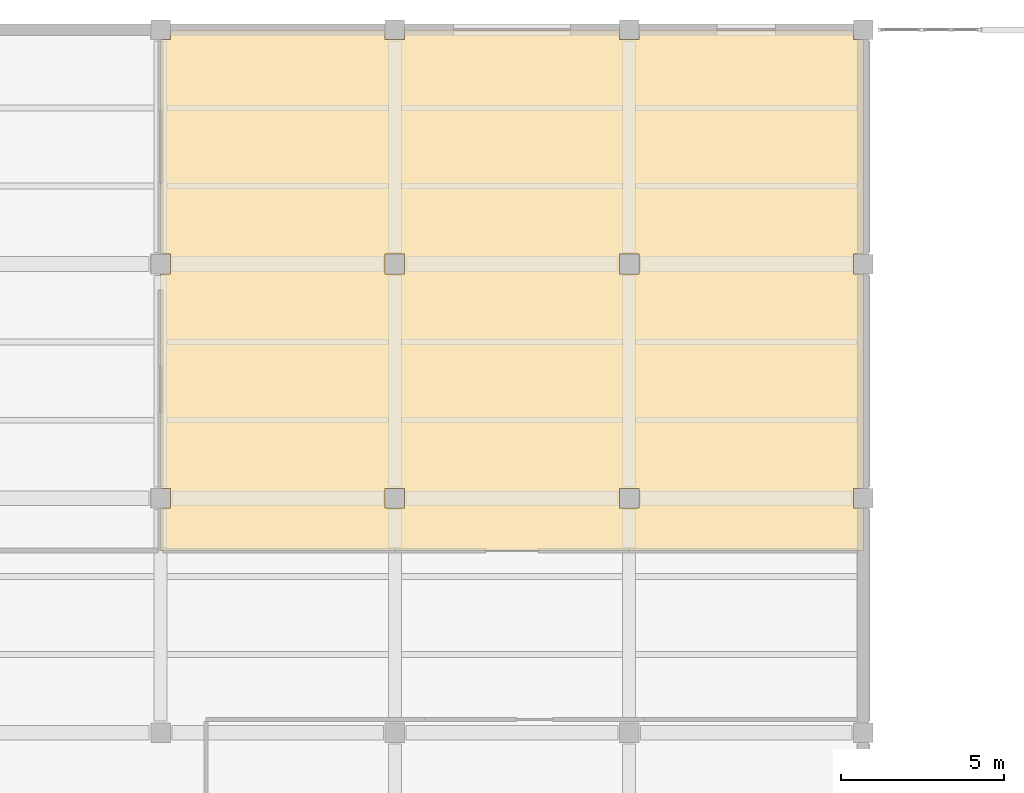
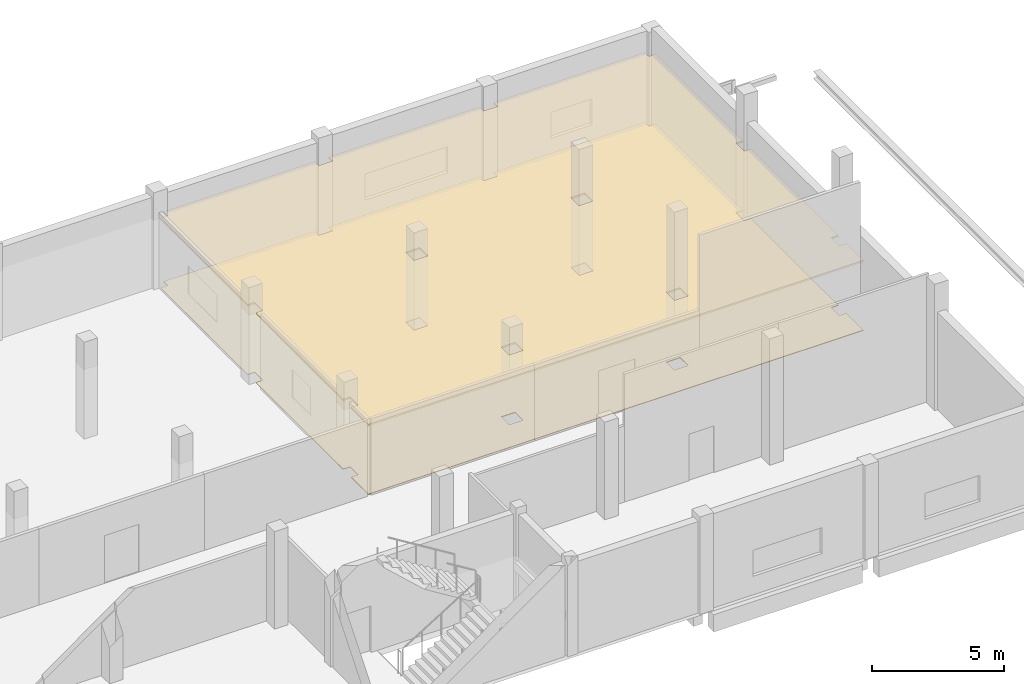
# One storey, part 105 of 105: 2 coverings.
"""IFC4 building model written with IfcOpenShell, lengths in metres."""

from ifc_helpers import new_model, si_unit, direction, frame, origin, place, context, subcontext, project, spatial, polyline, outline, extrude, material, layer, layer_set, type_object, element, save


model = new_model("IFC4")

# Units and contexts
model_context = context("Model", 3, precision=1e-05, world=origin(), true_north=direction((0.0, 1.0)))
body_context = subcontext(model_context, "Body", "Model", "MODEL_VIEW")
ifc_project = project(units=[si_unit("LENGTHUNIT", "METRE"), si_unit("AREAUNIT", "SQUARE_METRE"), si_unit("VOLUMEUNIT", "CUBIC_METRE"), si_unit("PLANEANGLEUNIT", "RADIAN"), si_unit("MASSUNIT", "GRAM", prefix="KILO"), si_unit("THERMODYNAMICTEMPERATUREUNIT", "KELVIN"), si_unit("POWERUNIT", "WATT")], contexts=[model_context])

# Site, building, storey
site_placement = place(None, origin())
site = spatial("IfcSite", under=ifc_project, at=site_placement, CompositionType="ELEMENT")
building_placement = place(site_placement, origin())
building = spatial("IfcBuilding", under=site, at=building_placement, Name="Kaldorven Railside Theatre", CompositionType="ELEMENT")
storey_placement = place(building_placement, frame((0.0, 0.0, 9.89990234375)))
storey = spatial("IfcBuildingStorey", under=building, at=storey_placement, Name="L02", CompositionType="ELEMENT", Elevation=9.89990234375)

# Coverings
ifc_material = material(Name="Acoustic hardwood timber", Category="wood")
ifc_layer_1 = layer(ifc_material, 0.080078125, Name="Acoustic hardwood timber")
ifc_layer_set_1 = layer_set([ifc_layer_1], Name="Acoustic hardwood timber")
covering_type_1 = type_object("IfcCoveringType", Name="COV-CLG-02", PredefinedType="CEILING", material=ifc_layer_set_1)
covering_1_placement = place(storey_placement, frame((0.0, 0.0, 3.170166015625)))
element("IfcCovering", 1, at=covering_1_placement, inside=storey, type_object=covering_type_1, Name="Rehearsal Room East Acoustic Ceiling 019", PredefinedType="CEILING", context=body_context, shape_type="SweptSolid", body=[
    extrude(outline(polyline([(180.800048828125, 125.60009765625), (159.199951171875, 125.60009765625), (159.199951171875, 126.89794921875), (159.501953125, 126.89794921875), (159.501953125, 127.501953125), (159.199951171875, 127.501953125), (159.199951171875, 134.097900390625), (159.501953125, 134.097900390625), (159.501953125, 134.701904296875), (159.199951171875, 134.701904296875), (159.199951171875, 141.298095703125), (159.501953125, 141.298095703125), (159.501953125, 141.60009765625), (166.097900390625, 141.60009765625), (166.097900390625, 141.298095703125), (166.701904296875, 141.298095703125), (166.701904296875, 141.60009765625), (173.298095703125, 141.60009765625), (173.298095703125, 141.298095703125), (173.902099609375, 141.298095703125), (173.902099609375, 141.60009765625), (180.498046875, 141.60009765625), (180.498046875, 141.298095703125), (180.800048828125, 141.298095703125), (180.800048828125, 134.701904296875), (180.498046875, 134.701904296875), (180.498046875, 134.097900390625), (180.800048828125, 134.097900390625), (180.800048828125, 127.501953125), (180.498046875, 127.501953125), (180.498046875, 126.89794921875), (180.800048828125, 126.89794921875), (180.800048828125, 125.60009765625)]), holes=[polyline([(173.902099609375, 127.501953125), (173.298095703125, 127.501953125), (173.298095703125, 126.89794921875), (173.902099609375, 126.89794921875), (173.902099609375, 127.501953125)]), polyline([(166.701904296875, 127.501953125), (166.097900390625, 127.501953125), (166.097900390625, 126.89794921875), (166.701904296875, 126.89794921875), (166.701904296875, 127.501953125)]), polyline([(166.701904296875, 134.701904296875), (166.097900390625, 134.701904296875), (166.097900390625, 134.097900390625), (166.701904296875, 134.097900390625), (166.701904296875, 134.701904296875)]), polyline([(173.298095703125, 134.701904296875), (173.298095703125, 134.097900390625), (173.902099609375, 134.097900390625), (173.902099609375, 134.701904296875), (173.298095703125, 134.701904296875)])]), origin(), (0.0, 0.0, 1.0), 0.079833984375),
])
ifc_layer_2 = layer(ifc_material, 0.030029296875, Name="Acoustic hardwood timber")
ifc_layer_set_2 = layer_set([ifc_layer_2], Name="Acoustic hardwood timber")
covering_type_2 = type_object("IfcCoveringType", Name="COV-FLR-01", PredefinedType="FLOORING", material=ifc_layer_set_2)
covering_2_placement = place(storey_placement, origin())
element("IfcCovering", 2, at=covering_2_placement, inside=storey, type_object=covering_type_2, Name="Rehearsal Room East Finish Flooring FLR-008", PredefinedType="FLOORING", context=body_context, shape_type="SweptSolid", body=[
    extrude(outline(polyline([(180.800048828125, 125.60009765625), (159.199951171875, 125.60009765625), (159.199951171875, 126.89794921875), (159.501953125, 126.89794921875), (159.501953125, 127.501953125), (159.199951171875, 127.501953125), (159.199951171875, 134.097900390625), (159.501953125, 134.097900390625), (159.501953125, 134.701904296875), (159.199951171875, 134.701904296875), (159.199951171875, 141.298095703125), (159.501953125, 141.298095703125), (159.501953125, 141.60009765625), (166.097900390625, 141.60009765625), (166.097900390625, 141.298095703125), (166.701904296875, 141.298095703125), (166.701904296875, 141.60009765625), (173.298095703125, 141.60009765625), (173.298095703125, 141.298095703125), (173.902099609375, 141.298095703125), (173.902099609375, 141.60009765625), (180.498046875, 141.60009765625), (180.498046875, 141.298095703125), (180.800048828125, 141.298095703125), (180.800048828125, 134.701904296875), (180.498046875, 134.701904296875), (180.498046875, 134.097900390625), (180.800048828125, 134.097900390625), (180.800048828125, 127.501953125), (180.498046875, 127.501953125), (180.498046875, 126.89794921875), (180.800048828125, 126.89794921875), (180.800048828125, 125.60009765625)]), holes=[polyline([(173.902099609375, 127.501953125), (173.298095703125, 127.501953125), (173.298095703125, 126.89794921875), (173.902099609375, 126.89794921875), (173.902099609375, 127.501953125)]), polyline([(166.701904296875, 127.501953125), (166.097900390625, 127.501953125), (166.097900390625, 126.89794921875), (166.701904296875, 126.89794921875), (166.701904296875, 127.501953125)]), polyline([(166.701904296875, 134.701904296875), (166.097900390625, 134.701904296875), (166.097900390625, 134.097900390625), (166.701904296875, 134.097900390625), (166.701904296875, 134.701904296875)]), polyline([(173.298095703125, 134.701904296875), (173.298095703125, 134.097900390625), (173.902099609375, 134.097900390625), (173.902099609375, 134.701904296875), (173.298095703125, 134.701904296875)])]), origin(), (0.0, 0.0, 1.0), 0.030029296875),
])

save(model, "model.ifc")
